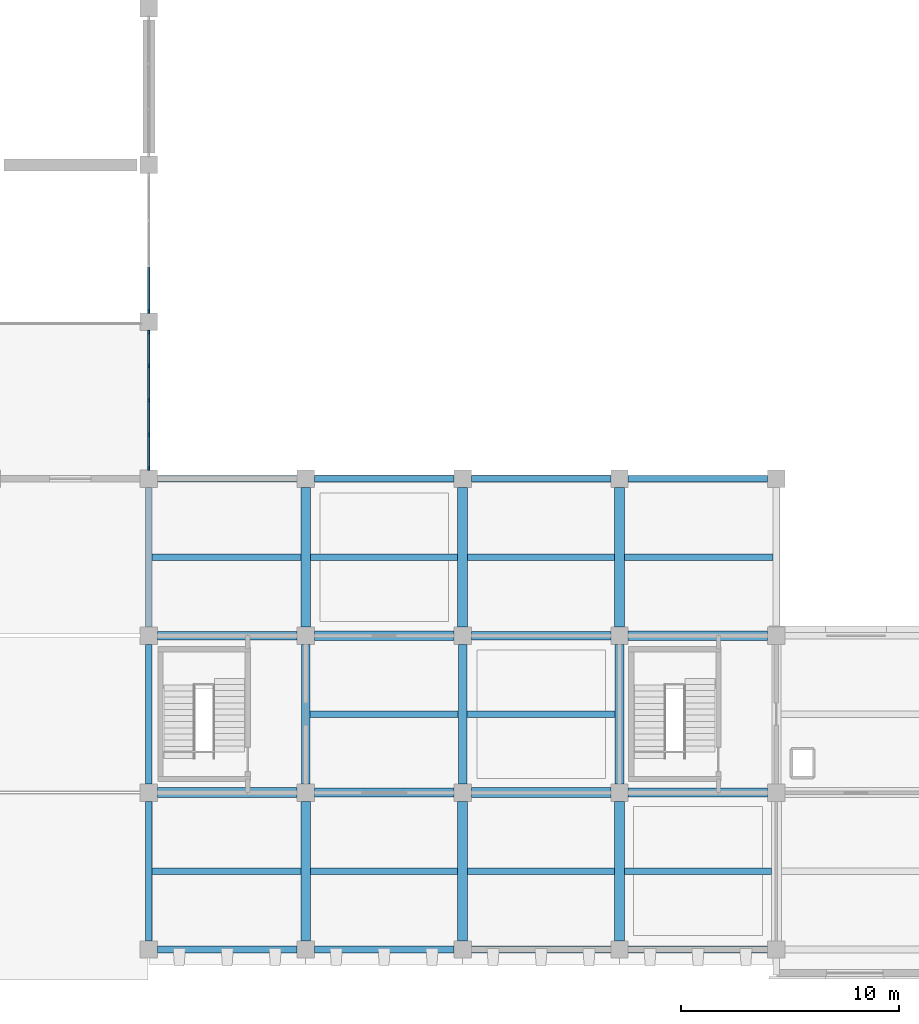
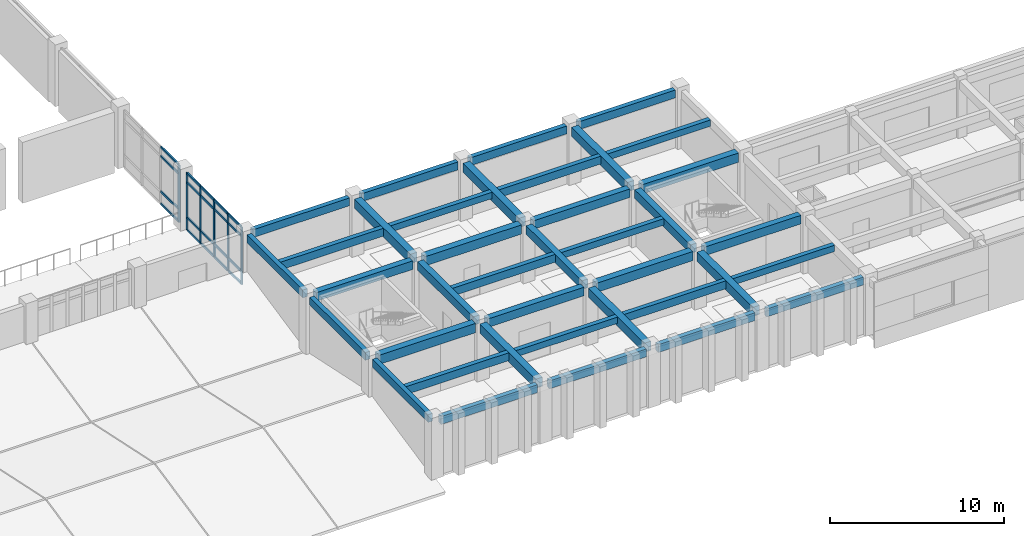
# One storey, part 3 of 70: 38 beams, 26 members, 2 elements without a shape of their own.
"""IFC4 building model written with IfcOpenShell, lengths in metres."""

from ifc_helpers import new_model, si_unit, direction, frame, origin, origin_2d, place, context, subcontext, project, spatial, rectangle, extrude, material, layer, layer_set, material_profile, profile_set, type_object, element, aggregate, save


model = new_model("IFC4")

# Units and contexts
model_context = context("Model", 3, precision=1e-05, world=origin(), true_north=direction((0.0, 1.0)))
body_context = subcontext(model_context, "Body", "Model", "MODEL_VIEW")
ifc_project = project(units=[si_unit("LENGTHUNIT", "METRE"), si_unit("AREAUNIT", "SQUARE_METRE"), si_unit("VOLUMEUNIT", "CUBIC_METRE"), si_unit("PLANEANGLEUNIT", "RADIAN"), si_unit("MASSUNIT", "GRAM", prefix="KILO")], contexts=[model_context])

# Site, building, storey
site_placement = place(None, origin())
site = spatial("IfcSite", under=ifc_project, at=site_placement, CompositionType="ELEMENT")
building_placement = place(site_placement, origin())
building = spatial("IfcBuilding", under=site, at=building_placement, Name="Kavelor Marine Aquarium", CompositionType="ELEMENT")
storey_placement = place(building_placement, frame((0.0, 0.0, 9.179931640625)))
storey = spatial("IfcBuildingStorey", under=building, at=storey_placement, Name="L02", CompositionType="ELEMENT", Elevation=9.179931640625)

# Beams
ifc_material_1 = material(Name="Concrete C40/50", Category="concrete")
ifc_material_profile_1 = material_profile(ifc_material_1, rectangle(XDim=0.449951171875, YDim=0.64990234375, at=origin_2d()), Name="RC-BM 450x650")
ifc_profile_set_1 = profile_set([ifc_material_profile_1], Name="Concrete C40/50")
beam_type_1 = type_object("IfcBeamType", Name="BM-B3", PredefinedType="BEAM", material=ifc_profile_set_1)
for number, where, z_axis, x_axis, name in (
    (1, (39.60009765625, 10.0, 3.695068359375), (1.0, 0.0, 0.0), (0.0, 1.0, 0.0), "bm:x:L02:L03:05_01"),
    (2, (46.800048828125, 17.199951171875, 3.715087890625), (1.0, 0.0, 0.0), (0.0, 1.0, 0.0), "bm:x:L02:L03:06_02"),
    (3, (54.0, 10.0, 3.695068359375), (1.0, 0.0, 0.0), (0.0, 1.0, 0.0), "bm:x:L02:L03:07_01"),
):
    element("IfcBeam", number, at=place(storey_placement, frame(where, z_axis=z_axis, x_axis=x_axis)), inside=storey, type_object=beam_type_1, Name=name, PredefinedType="BEAM", context=body_context, shape_type="SweptSolid", body=[
        extrude(rectangle(XDim=0.449951171875, YDim=0.64990234375, at=origin_2d()), origin(), (0.0, 0.0, 1.0), 6.39990234375),
    ])
for number, where, z_axis, x_axis, name in (
    (4, (61.199951171875, 17.199951171875, 3.715087890625), (1.0, 0.0, 0.0), (0.0, 1.0, 0.0), "bm:x:L02:L03:08_02"),
    (5, (46.39990234375, 3.199951171875, 3.695068359375), (0.0, 1.0, 0.0), (-1.0, 0.0, 0.0), "bm:y:L02:L03:06_00"),
):
    element("IfcBeam", number, at=place(storey_placement, frame(where, z_axis=z_axis, x_axis=x_axis)), inside=storey, type_object=beam_type_1, Name=name, PredefinedType="BEAM", context=body_context, shape_type="SweptSolid", body=[
        extrude(rectangle(XDim=0.449951171875, YDim=0.64990234375, at=origin_2d()), origin(), (0.0, 0.0, 1.0), 6.400146484375),
    ])
beam_1_placement = place(storey_placement, frame((46.39990234375, 17.60009765625, 3.715087890625), z_axis=(0.0, 1.0, 0.0), x_axis=(-1.0, 0.0, 0.0)))
element("IfcBeam", 6, at=beam_1_placement, inside=storey, type_object=beam_type_1, Name="bm:y:L02:L03:06_02", PredefinedType="BEAM", context=body_context, shape_type="SweptSolid", body=[
    extrude(rectangle(XDim=0.449951171875, YDim=0.64990234375, at=origin_2d()), origin(), (0.0, 0.0, 1.0), 6.39990234375),
])
beam_2_placement = place(storey_placement, frame((53.60009765625, 3.199951171875, 3.695068359375), z_axis=(0.0, 1.0, 0.0), x_axis=(-1.0, 0.0, 0.0)))
element("IfcBeam", 7, at=beam_2_placement, inside=storey, type_object=beam_type_1, Name="bm:y:L02:L03:07_00", PredefinedType="BEAM", context=body_context, shape_type="SweptSolid", body=[
    extrude(rectangle(XDim=0.449951171875, YDim=0.64990234375, at=origin_2d()), origin(), (0.0, 0.0, 1.0), 6.400146484375),
])
beam_3_placement = place(storey_placement, frame((53.60009765625, 17.60009765625, 3.715087890625), z_axis=(0.0, 1.0, 0.0), x_axis=(-1.0, 0.0, 0.0)))
element("IfcBeam", 8, at=beam_3_placement, inside=storey, type_object=beam_type_1, Name="bm:y:L02:L03:07_02", PredefinedType="BEAM", context=body_context, shape_type="SweptSolid", body=[
    extrude(rectangle(XDim=0.449951171875, YDim=0.64990234375, at=origin_2d()), origin(), (0.0, 0.0, 1.0), 6.39990234375),
])
beam_4_placement = place(storey_placement, frame((60.800048828125, 3.199951171875, 3.695068359375), z_axis=(0.0, 1.0, 0.0), x_axis=(-1.0, 0.0, 0.0)))
element("IfcBeam", 9, at=beam_4_placement, inside=storey, type_object=beam_type_1, Name="bm:y:L02:L03:08_00", PredefinedType="BEAM", context=body_context, shape_type="SweptSolid", body=[
    extrude(rectangle(XDim=0.449951171875, YDim=0.64990234375, at=origin_2d()), origin(), (0.0, 0.0, 1.0), 6.400146484375),
])
beam_5_placement = place(storey_placement, frame((60.800048828125, 17.60009765625, 3.715087890625), z_axis=(0.0, 1.0, 0.0), x_axis=(-1.0, 0.0, 0.0)))
element("IfcBeam", 10, at=beam_5_placement, inside=storey, type_object=beam_type_1, Name="bm:y:L02:L03:08_02", PredefinedType="BEAM", context=body_context, shape_type="SweptSolid", body=[
    extrude(rectangle(XDim=0.449951171875, YDim=0.64990234375, at=origin_2d()), origin(), (0.0, 0.0, 1.0), 6.39990234375),
])
ifc_material_2 = material(Name="Concrete C40/50", Category="concrete")
ifc_material_profile_2 = material_profile(ifc_material_2, rectangle(XDim=0.39990234375, YDim=0.60009765625, at=origin_2d()), Name="RC-BM 400x600")
ifc_profile_set_2 = profile_set([ifc_material_profile_2], Name="Concrete C40/50")
beam_type_2 = type_object("IfcBeamType", Name="BM-B4", PredefinedType="BEAM", material=ifc_profile_set_2)
for number, where, z_axis, x_axis, name in (
    (11, (39.60009765625, 17.199951171875, 3.719970703125), (1.0, 0.0, 0.0), (0.0, 1.0, 0.0), "bm:x:L02:L03:05_02"),
    (12, (46.800048828125, 10.0, 3.719970703125), (1.0, 0.0, 0.0), (0.0, 1.0, 0.0), "bm:x:L02:L03:06_01"),
    (13, (54.0, 17.199951171875, 3.719970703125), (1.0, 0.0, 0.0), (0.0, 1.0, 0.0), "bm:x:L02:L03:07_02"),
):
    element("IfcBeam", number, at=place(storey_placement, frame(where, z_axis=z_axis, x_axis=x_axis)), inside=storey, type_object=beam_type_2, Name=name, PredefinedType="BEAM", context=body_context, shape_type="SweptSolid", body=[
        extrude(rectangle(XDim=0.39990234375, YDim=0.60009765625, at=origin_2d()), origin(), (0.0, 0.0, 1.0), 6.39990234375),
    ])
for number, where, z_axis, x_axis, name in (
    (14, (61.199951171875, 10.0, 3.719970703125), (1.0, 0.0, 0.0), (0.0, 1.0, 0.0), "bm:x:L02:L03:08_01"),
    (15, (46.39990234375, 10.39990234375, 3.719970703125), (0.0, 1.0, 0.0), (-1.0, 0.0, 0.0), "bm:y:L02:L03:06_01"),
    (16, (53.60009765625, 10.39990234375, 3.719970703125), (0.0, 1.0, 0.0), (-1.0, 0.0, 0.0), "bm:y:L02:L03:07_01"),
    (17, (60.800048828125, 10.39990234375, 3.719970703125), (0.0, 1.0, 0.0), (-1.0, 0.0, 0.0), "bm:y:L02:L03:08_01"),
):
    element("IfcBeam", number, at=place(storey_placement, frame(where, z_axis=z_axis, x_axis=x_axis)), inside=storey, type_object=beam_type_2, Name=name, PredefinedType="BEAM", context=body_context, shape_type="SweptSolid", body=[
        extrude(rectangle(XDim=0.39990234375, YDim=0.60009765625, at=origin_2d()), origin(), (0.0, 0.0, 1.0), 6.400146484375),
    ])
ifc_material_3 = material(Name="Concrete C40/50", Category="concrete")
ifc_material_profile_3 = material_profile(ifc_material_3, rectangle(XDim=0.300048828125, YDim=0.449951171875, at=origin_2d()), Name="RC-JS 300x450")
ifc_profile_set_3 = profile_set([ifc_material_profile_3], Name="Concrete C40/50")
beam_type_3 = type_object("IfcBeamType", Name="BM-JS1", PredefinedType="JOIST", material=ifc_profile_set_3)
for number, where, z_axis, x_axis, name in (
    (18, (46.625, 6.39990234375, 3.795166015625), (1.0, 0.0, 0.0), (0.0, 1.0, 0.0), "js:L02:L03:06_00"),
    (19, (46.625, 20.800048828125, 3.815185546875), (1.0, 0.0, 0.0), (0.0, 1.0, 0.0), "js:L02:L03:06_02"),
):
    element("IfcBeam", number, at=place(storey_placement, frame(where, z_axis=z_axis, x_axis=x_axis)), inside=storey, type_object=beam_type_3, Name=name, PredefinedType="JOIST", context=body_context, shape_type="SweptSolid", body=[
        extrude(rectangle(XDim=0.300048828125, YDim=0.449951171875, at=origin_2d()), origin(), (0.0, 0.0, 1.0), 6.75),
    ])
beam_6_placement = place(storey_placement, frame((53.800048828125, 13.60009765625, 3.795166015625), z_axis=(1.0, 0.0, 0.0), x_axis=(0.0, 1.0, 0.0)))
element("IfcBeam", 20, at=beam_6_placement, inside=storey, type_object=beam_type_3, Name="js:L02:L03:07_01", PredefinedType="JOIST", context=body_context, shape_type="SweptSolid", body=[
    extrude(rectangle(XDim=0.300048828125, YDim=0.449951171875, at=origin_2d()), origin(), (0.0, 0.0, 1.0), 6.800048828125),
])
beam_7_placement = place(storey_placement, frame((61.02490234375, 6.39990234375, 3.795166015625), z_axis=(1.0, 0.0, 0.0), x_axis=(0.0, 1.0, 0.0)))
element("IfcBeam", 21, at=beam_7_placement, inside=storey, type_object=beam_type_3, Name="js:L02:L03:08_00", PredefinedType="JOIST", context=body_context, shape_type="SweptSolid", body=[
    extrude(rectangle(XDim=0.300048828125, YDim=0.449951171875, at=origin_2d()), origin(), (0.0, 0.0, 1.0), 6.75),
])
beam_8_placement = place(storey_placement, frame((61.02490234375, 20.800048828125, 3.815185546875), z_axis=(1.0, 0.0, 0.0), x_axis=(0.0, 1.0, 0.0)))
element("IfcBeam", 22, at=beam_8_placement, inside=storey, type_object=beam_type_3, Name="js:L02:L03:08_02", PredefinedType="JOIST", context=body_context, shape_type="SweptSolid", body=[
    extrude(rectangle(XDim=0.300048828125, YDim=0.449951171875, at=origin_2d()), origin(), (0.0, 0.0, 1.0), 6.8251953125),
])
ifc_material_4 = material(Name="Concrete C40/50", Category="concrete")
ifc_material_profile_4 = material_profile(ifc_material_4, rectangle(XDim=0.300048828125, YDim=0.550048828125, at=origin_2d()), Name="RC-JS 300x550")
ifc_profile_set_4 = profile_set([ifc_material_profile_4], Name="Concrete C40/50")
beam_type_4 = type_object("IfcBeamType", Name="BM-JS2", PredefinedType="JOIST", material=ifc_profile_set_4)
for number, where, z_axis, x_axis, name in (
    (23, (39.35009765625, 6.39990234375, 3.76513671875), (1.0, 0.0, 0.0), (0.0, 1.0, 0.0), "js:L02:L03:05_00"),
    (24, (39.35009765625, 20.800048828125, 3.76513671875), (1.0, 0.0, 0.0), (0.0, 1.0, 0.0), "js:L02:L03:05_02"),
):
    element("IfcBeam", number, at=place(storey_placement, frame(where, z_axis=z_axis, x_axis=x_axis)), inside=storey, type_object=beam_type_4, Name=name, PredefinedType="JOIST", context=body_context, shape_type="SweptSolid", body=[
        extrude(rectangle(XDim=0.300048828125, YDim=0.550048828125, at=origin_2d()), origin(), (0.0, 0.0, 1.0), 6.824951171875),
    ])
beam_9_placement = place(storey_placement, frame((46.60009765625, 13.60009765625, 3.76513671875), z_axis=(1.0, 0.0, 0.0), x_axis=(0.0, 1.0, 0.0)))
element("IfcBeam", 25, at=beam_9_placement, inside=storey, type_object=beam_type_4, Name="js:L02:L03:06_01", PredefinedType="JOIST", context=body_context, shape_type="SweptSolid", body=[
    extrude(rectangle(XDim=0.300048828125, YDim=0.550048828125, at=origin_2d()), origin(), (0.0, 0.0, 1.0), 6.7998046875),
])
for number, where, z_axis, x_axis, name in (
    (26, (53.824951171875, 6.39990234375, 3.76513671875), (1.0, 0.0, 0.0), (0.0, 1.0, 0.0), "js:L02:L03:07_00"),
    (27, (53.824951171875, 20.800048828125, 3.76513671875), (1.0, 0.0, 0.0), (0.0, 1.0, 0.0), "js:L02:L03:07_02"),
):
    element("IfcBeam", number, at=place(storey_placement, frame(where, z_axis=z_axis, x_axis=x_axis)), inside=storey, type_object=beam_type_4, Name=name, PredefinedType="JOIST", context=body_context, shape_type="SweptSolid", body=[
        extrude(rectangle(XDim=0.300048828125, YDim=0.550048828125, at=origin_2d()), origin(), (0.0, 0.0, 1.0), 6.75),
    ])
ifc_material_5 = material(Name="Concrete C40/50", Category="concrete")
ifc_material_profile_5 = material_profile(ifc_material_5, rectangle(XDim=0.300048828125, YDim=0.550048828125, at=origin_2d()), Name="RC-SP 300x550")
ifc_profile_set_5 = profile_set([ifc_material_profile_5], Name="Concrete C40/50")
beam_type_5 = type_object("IfcBeamType", Name="BM-SP2", PredefinedType="SPANDREL", material=ifc_profile_set_5)
for number, where, z_axis, x_axis, name in (
    (28, (39.60009765625, 2.800048828125, 3.76513671875), (1.0, 0.0, 0.0), (0.0, 1.0, 0.0), "bm:x:L02:L03:05_00"),
    (29, (39.60009765625, 24.39990234375, 3.76513671875), (1.0, 0.0, 0.0), (0.0, 1.0, 0.0), "bm:x:L02:L03:05_03"),
    (30, (46.800048828125, 2.800048828125, 3.7451171875), (1.0, 0.0, 0.0), (0.0, 1.0, 0.0), "bm:x:L02:L03:06_00"),
    (31, (46.800048828125, 24.39990234375, 3.76513671875), (1.0, 0.0, 0.0), (0.0, 1.0, 0.0), "bm:x:L02:L03:06_03"),
    (32, (54.0, 2.800048828125, 3.76513671875), (1.0, 0.0, 0.0), (0.0, 1.0, 0.0), "bm:x:L02:L03:07_00"),
    (33, (54.0, 24.39990234375, 3.76513671875), (1.0, 0.0, 0.0), (0.0, 1.0, 0.0), "bm:x:L02:L03:07_03"),
):
    element("IfcBeam", number, at=place(storey_placement, frame(where, z_axis=z_axis, x_axis=x_axis)), inside=storey, type_object=beam_type_5, Name=name, PredefinedType="SPANDREL", context=body_context, shape_type="SweptSolid", body=[
        extrude(rectangle(XDim=0.300048828125, YDim=0.550048828125, at=origin_2d()), origin(), (0.0, 0.0, 1.0), 6.39990234375),
    ])
for number, where, z_axis, x_axis, name in (
    (34, (61.199951171875, 2.800048828125, 3.7451171875), (1.0, 0.0, 0.0), (0.0, 1.0, 0.0), "bm:x:L02:L03:08_00"),
    (35, (61.199951171875, 24.39990234375, 3.76513671875), (1.0, 0.0, 0.0), (0.0, 1.0, 0.0), "bm:x:L02:L03:08_03"),
    (36, (39.199951171875, 3.199951171875, 3.76513671875), (0.0, 1.0, 0.0), (-1.0, 0.0, 0.0), "bm:y:L02:L03:05_00"),
    (37, (39.199951171875, 10.39990234375, 3.7451171875), (0.0, 1.0, 0.0), (-1.0, 0.0, 0.0), "bm:y:L02:L03:05_01"),
):
    element("IfcBeam", number, at=place(storey_placement, frame(where, z_axis=z_axis, x_axis=x_axis)), inside=storey, type_object=beam_type_5, Name=name, PredefinedType="SPANDREL", context=body_context, shape_type="SweptSolid", body=[
        extrude(rectangle(XDim=0.300048828125, YDim=0.550048828125, at=origin_2d()), origin(), (0.0, 0.0, 1.0), 6.400146484375),
    ])
beam_10_placement = place(storey_placement, frame((39.199951171875, 17.60009765625, 3.76513671875), z_axis=(0.0, 1.0, 0.0), x_axis=(-1.0, 0.0, 0.0)))
element("IfcBeam", 38, at=beam_10_placement, inside=storey, type_object=beam_type_5, Name="bm:y:L02:L03:05_02", PredefinedType="SPANDREL", context=body_context, shape_type="SweptSolid", body=[
    extrude(rectangle(XDim=0.300048828125, YDim=0.550048828125, at=origin_2d()), origin(), (0.0, 0.0, 1.0), 6.39990234375),
])

# Curtain wall, members
ifc_material_6 = material(Name="Thermally Broken Aluminium and Low-E Glass", Category="aluminium")
ifc_layer_1 = layer(ifc_material_6, 0.26806640625)
ifc_layer_set_1 = layer_set([ifc_layer_1], Name="CW-SYS16")
curtain_wall_type_1 = type_object("IfcCurtainWallType", Name="CW-SYS16", PredefinedType="USERDEFINED", material=ifc_layer_set_1)
curtain_wall_1_placement = place(storey_placement, origin())
curtain_wall_1 = element("IfcCurtainWall", 39, at=curtain_wall_1_placement, inside=storey, type_object=curtain_wall_type_1, Name="cw:y:L02:05_03", ObjectType="Curtain Wall", PredefinedType="USERDEFINED")
ifc_material_7 = material(Name="Anodised Aluminium Alloy 6063-T6", Category="aluminium")
ifc_material_profile_6 = material_profile(ifc_material_7, rectangle(XDim=0.074951171875, YDim=0.179931640625, at=origin_2d()), Name="CW-MUL 75x180")
ifc_profile_set_6 = profile_set([ifc_material_profile_6], Name="Anodised Aluminium Alloy 6063-T6")
member_type_1 = type_object("IfcMemberType", Name="CWM-1", PredefinedType="MULLION", material=ifc_profile_set_6)
member_1_placement = place(storey_placement, frame((39.199951171875, 24.882568359375, 0.0), z_axis=(0.0, 0.0, 1.0), x_axis=(-1.0, 0.0, 0.0)))
member_1 = element("IfcMember", 40, at=member_1_placement, type_object=member_type_1, Name="CW16 mullion 1", PredefinedType="MULLION", context=body_context, shape_type="SweptSolid", body=[
    extrude(rectangle(XDim=0.074951171875, YDim=0.179931640625, at=origin_2d()), origin(), (0.0, 0.0, 1.0), 4.02001953125),
])
member_2_placement = place(storey_placement, frame((39.199951171875, 26.422607421875, 0.0), z_axis=(0.0, 0.0, 1.0), x_axis=(-1.0, 0.0, 0.0)))
member_2 = element("IfcMember", 41, at=member_2_placement, type_object=member_type_1, Name="CW16 mullion 2", PredefinedType="MULLION", context=body_context, shape_type="SweptSolid", body=[
    extrude(rectangle(XDim=0.074951171875, YDim=0.179931640625, at=origin_2d()), origin(), (0.0, 0.0, 1.0), 4.02001953125),
])
member_3_placement = place(storey_placement, frame((39.199951171875, 28.0, 0.0), z_axis=(0.0, 0.0, 1.0), x_axis=(-1.0, 0.0, 0.0)))
member_3 = element("IfcMember", 42, at=member_3_placement, type_object=member_type_1, Name="CW16 mullion 3", PredefinedType="MULLION", context=body_context, shape_type="SweptSolid", body=[
    extrude(rectangle(XDim=0.074951171875, YDim=0.179931640625, at=origin_2d()), origin(), (0.0, 0.0, 1.0), 4.02001953125),
])
member_4_placement = place(storey_placement, frame((39.199951171875, 29.577392578125, 0.0), z_axis=(0.0, 0.0, 1.0), x_axis=(-1.0, 0.0, 0.0)))
member_4 = element("IfcMember", 43, at=member_4_placement, type_object=member_type_1, Name="CW16 mullion 4", PredefinedType="MULLION", context=body_context, shape_type="SweptSolid", body=[
    extrude(rectangle(XDim=0.074951171875, YDim=0.179931640625, at=origin_2d()), origin(), (0.0, 0.0, 1.0), 4.02001953125),
])
member_5_placement = place(storey_placement, frame((39.199951171875, 31.117431640625, 0.0), z_axis=(0.0, 0.0, 1.0), x_axis=(-1.0, 0.0, 0.0)))
member_5 = element("IfcMember", 44, at=member_5_placement, type_object=member_type_1, Name="CW16 mullion 5", PredefinedType="MULLION", context=body_context, shape_type="SweptSolid", body=[
    extrude(rectangle(XDim=0.074951171875, YDim=0.179931640625, at=origin_2d()), origin(), (0.0, 0.0, 1.0), 4.02001953125),
])

# Curtain wall, member
ifc_material_8 = material(Name="Thermally Broken Aluminium and Low-E Glass", Category="aluminium")
ifc_layer_2 = layer(ifc_material_8, 0.27587890625)
ifc_layer_set_2 = layer_set([ifc_layer_2], Name="CW-SYS17")
curtain_wall_type_2 = type_object("IfcCurtainWallType", Name="CW-SYS17", PredefinedType="USERDEFINED", material=ifc_layer_set_2)
curtain_wall_2_placement = place(storey_placement, origin())
curtain_wall_2 = element("IfcCurtainWall", 45, at=curtain_wall_2_placement, inside=storey, type_object=curtain_wall_type_2, Name="cw:y:L02:05_04", ObjectType="Curtain Wall", PredefinedType="USERDEFINED")
ifc_material_9 = material(Name="Anodised Aluminium Alloy 6063-T6", Category="aluminium")
ifc_material_profile_7 = material_profile(ifc_material_9, rectangle(XDim=0.080078125, YDim=0.18505859375, at=origin_2d()), Name="CW-MUL 80x185")
ifc_profile_set_7 = profile_set([ifc_material_profile_7], Name="Anodised Aluminium Alloy 6063-T6")
member_type_2 = type_object("IfcMemberType", Name="CWM-2", PredefinedType="MULLION", material=ifc_profile_set_7)
member_6_placement = place(storey_placement, frame((39.199951171875, 32.077392578125, 0.0), z_axis=(0.0, 0.0, 1.0), x_axis=(-1.0, 0.0, 0.0)))
member_6 = element("IfcMember", 46, at=member_6_placement, type_object=member_type_2, Name="CW17 mullion 1", PredefinedType="MULLION", context=body_context, shape_type="SweptSolid", body=[
    extrude(rectangle(XDim=0.080078125, YDim=0.18505859375, at=origin_2d()), origin(), (0.0, 0.0, 1.0), 4.02001953125),
])

# Member
ifc_material_10 = material(Name="Anodised Aluminium Alloy 6063-T6", Category="aluminium")
ifc_material_profile_8 = material_profile(ifc_material_10, rectangle(XDim=0.0849609375, YDim=0.159912109375, at=origin_2d()), Name="CW-TRN 85x160")
ifc_profile_set_8 = profile_set([ifc_material_profile_8], Name="Anodised Aluminium Alloy 6063-T6")
member_type_3 = type_object("IfcMemberType", Name="CWT-3", PredefinedType="USERDEFINED", material=ifc_profile_set_8)
member_7_placement = place(storey_placement, frame((39.199951171875, 24.919921875, 0.030029296875), z_axis=(0.0, 1.0, 0.0), x_axis=(-1.0, 0.0, 0.0)))
member_7 = element("IfcMember", 47, at=member_7_placement, type_object=member_type_3, Name="CW16 transom 1.1", ObjectType="TRANSOM", PredefinedType="USERDEFINED", context=body_context, shape_type="SweptSolid", body=[
    extrude(rectangle(XDim=0.0849609375, YDim=0.159912109375, at=origin_2d()), origin(), (0.0, 0.0, 1.0), 1.465087890625),
])

member_8_placement = place(storey_placement, frame((39.199951171875, 24.919921875, 0.900146484375), z_axis=(0.0, 1.0, 0.0), x_axis=(-1.0, 0.0, 0.0)))
member_8 = element("IfcMember", 48, at=member_8_placement, type_object=member_type_3, Name="CW16 transom 1.2", ObjectType="TRANSOM", PredefinedType="USERDEFINED", context=body_context, shape_type="SweptSolid", body=[
    extrude(rectangle(XDim=0.0849609375, YDim=0.159912109375, at=origin_2d()), origin(), (0.0, 0.0, 1.0), 1.465087890625),
])

member_9_placement = place(storey_placement, frame((39.199951171875, 24.919921875, 3.3701171875), z_axis=(0.0, 1.0, 0.0), x_axis=(-1.0, 0.0, 0.0)))
member_9 = element("IfcMember", 49, at=member_9_placement, type_object=member_type_3, Name="CW16 transom 1.3", ObjectType="TRANSOM", PredefinedType="USERDEFINED", context=body_context, shape_type="SweptSolid", body=[
    extrude(rectangle(XDim=0.0849609375, YDim=0.159912109375, at=origin_2d()), origin(), (0.0, 0.0, 1.0), 1.465087890625),
])

member_10_placement = place(storey_placement, frame((39.199951171875, 24.919921875, 3.989990234375), z_axis=(0.0, 1.0, 0.0), x_axis=(-1.0, 0.0, 0.0)))
member_10 = element("IfcMember", 50, at=member_10_placement, type_object=member_type_3, Name="CW16 transom 1.4", ObjectType="TRANSOM", PredefinedType="USERDEFINED", context=body_context, shape_type="SweptSolid", body=[
    extrude(rectangle(XDim=0.0849609375, YDim=0.159912109375, at=origin_2d()), origin(), (0.0, 0.0, 1.0), 1.465087890625),
])

member_11_placement = place(storey_placement, frame((39.199951171875, 26.4599609375, 0.030029296875), z_axis=(0.0, 1.0, 0.0), x_axis=(-1.0, 0.0, 0.0)))
member_11 = element("IfcMember", 51, at=member_11_placement, type_object=member_type_3, Name="CW16 transom 2.1", ObjectType="TRANSOM", PredefinedType="USERDEFINED", context=body_context, shape_type="SweptSolid", body=[
    extrude(rectangle(XDim=0.0849609375, YDim=0.159912109375, at=origin_2d()), origin(), (0.0, 0.0, 1.0), 1.50244140625),
])

member_12_placement = place(storey_placement, frame((39.199951171875, 26.4599609375, 0.900146484375), z_axis=(0.0, 1.0, 0.0), x_axis=(-1.0, 0.0, 0.0)))
member_12 = element("IfcMember", 52, at=member_12_placement, type_object=member_type_3, Name="CW16 transom 2.2", ObjectType="TRANSOM", PredefinedType="USERDEFINED", context=body_context, shape_type="SweptSolid", body=[
    extrude(rectangle(XDim=0.0849609375, YDim=0.159912109375, at=origin_2d()), origin(), (0.0, 0.0, 1.0), 1.50244140625),
])

member_13_placement = place(storey_placement, frame((39.199951171875, 26.4599609375, 3.3701171875), z_axis=(0.0, 1.0, 0.0), x_axis=(-1.0, 0.0, 0.0)))
member_13 = element("IfcMember", 53, at=member_13_placement, type_object=member_type_3, Name="CW16 transom 2.3", ObjectType="TRANSOM", PredefinedType="USERDEFINED", context=body_context, shape_type="SweptSolid", body=[
    extrude(rectangle(XDim=0.0849609375, YDim=0.159912109375, at=origin_2d()), origin(), (0.0, 0.0, 1.0), 1.50244140625),
])

member_14_placement = place(storey_placement, frame((39.199951171875, 26.4599609375, 3.989990234375), z_axis=(0.0, 1.0, 0.0), x_axis=(-1.0, 0.0, 0.0)))
member_14 = element("IfcMember", 54, at=member_14_placement, type_object=member_type_3, Name="CW16 transom 2.4", ObjectType="TRANSOM", PredefinedType="USERDEFINED", context=body_context, shape_type="SweptSolid", body=[
    extrude(rectangle(XDim=0.0849609375, YDim=0.159912109375, at=origin_2d()), origin(), (0.0, 0.0, 1.0), 1.50244140625),
])

member_15_placement = place(storey_placement, frame((39.199951171875, 28.03759765625, 0.030029296875), z_axis=(0.0, 1.0, 0.0), x_axis=(-1.0, 0.0, 0.0)))
member_15 = element("IfcMember", 55, at=member_15_placement, type_object=member_type_3, Name="CW16 transom 3.1", ObjectType="TRANSOM", PredefinedType="USERDEFINED", context=body_context, shape_type="SweptSolid", body=[
    extrude(rectangle(XDim=0.0849609375, YDim=0.159912109375, at=origin_2d()), origin(), (0.0, 0.0, 1.0), 1.50244140625),
])

member_16_placement = place(storey_placement, frame((39.199951171875, 28.03759765625, 0.900146484375), z_axis=(0.0, 1.0, 0.0), x_axis=(-1.0, 0.0, 0.0)))
member_16 = element("IfcMember", 56, at=member_16_placement, type_object=member_type_3, Name="CW16 transom 3.2", ObjectType="TRANSOM", PredefinedType="USERDEFINED", context=body_context, shape_type="SweptSolid", body=[
    extrude(rectangle(XDim=0.0849609375, YDim=0.159912109375, at=origin_2d()), origin(), (0.0, 0.0, 1.0), 1.50244140625),
])

member_17_placement = place(storey_placement, frame((39.199951171875, 28.03759765625, 3.3701171875), z_axis=(0.0, 1.0, 0.0), x_axis=(-1.0, 0.0, 0.0)))
member_17 = element("IfcMember", 57, at=member_17_placement, type_object=member_type_3, Name="CW16 transom 3.3", ObjectType="TRANSOM", PredefinedType="USERDEFINED", context=body_context, shape_type="SweptSolid", body=[
    extrude(rectangle(XDim=0.0849609375, YDim=0.159912109375, at=origin_2d()), origin(), (0.0, 0.0, 1.0), 1.50244140625),
])

member_18_placement = place(storey_placement, frame((39.199951171875, 28.03759765625, 3.989990234375), z_axis=(0.0, 1.0, 0.0), x_axis=(-1.0, 0.0, 0.0)))
member_18 = element("IfcMember", 58, at=member_18_placement, type_object=member_type_3, Name="CW16 transom 3.4", ObjectType="TRANSOM", PredefinedType="USERDEFINED", context=body_context, shape_type="SweptSolid", body=[
    extrude(rectangle(XDim=0.0849609375, YDim=0.159912109375, at=origin_2d()), origin(), (0.0, 0.0, 1.0), 1.50244140625),
])

member_19_placement = place(storey_placement, frame((39.199951171875, 29.614990234375, 0.030029296875), z_axis=(0.0, 1.0, 0.0), x_axis=(-1.0, 0.0, 0.0)))
member_19 = element("IfcMember", 59, at=member_19_placement, type_object=member_type_3, Name="CW16 transom 4.1", ObjectType="TRANSOM", PredefinedType="USERDEFINED", context=body_context, shape_type="SweptSolid", body=[
    extrude(rectangle(XDim=0.0849609375, YDim=0.159912109375, at=origin_2d()), origin(), (0.0, 0.0, 1.0), 1.465087890625),
])

member_20_placement = place(storey_placement, frame((39.199951171875, 29.614990234375, 0.900146484375), z_axis=(0.0, 1.0, 0.0), x_axis=(-1.0, 0.0, 0.0)))
member_20 = element("IfcMember", 60, at=member_20_placement, type_object=member_type_3, Name="CW16 transom 4.2", ObjectType="TRANSOM", PredefinedType="USERDEFINED", context=body_context, shape_type="SweptSolid", body=[
    extrude(rectangle(XDim=0.0849609375, YDim=0.159912109375, at=origin_2d()), origin(), (0.0, 0.0, 1.0), 1.465087890625),
])

member_21_placement = place(storey_placement, frame((39.199951171875, 29.614990234375, 3.3701171875), z_axis=(0.0, 1.0, 0.0), x_axis=(-1.0, 0.0, 0.0)))
member_21 = element("IfcMember", 61, at=member_21_placement, type_object=member_type_3, Name="CW16 transom 4.3", ObjectType="TRANSOM", PredefinedType="USERDEFINED", context=body_context, shape_type="SweptSolid", body=[
    extrude(rectangle(XDim=0.0849609375, YDim=0.159912109375, at=origin_2d()), origin(), (0.0, 0.0, 1.0), 1.465087890625),
])

member_22_placement = place(storey_placement, frame((39.199951171875, 29.614990234375, 3.989990234375), z_axis=(0.0, 1.0, 0.0), x_axis=(-1.0, 0.0, 0.0)))
member_22 = element("IfcMember", 62, at=member_22_placement, type_object=member_type_3, Name="CW16 transom 4.4", ObjectType="TRANSOM", PredefinedType="USERDEFINED", context=body_context, shape_type="SweptSolid", body=[
    extrude(rectangle(XDim=0.0849609375, YDim=0.159912109375, at=origin_2d()), origin(), (0.0, 0.0, 1.0), 1.465087890625),
])

aggregate(curtain_wall_1, [member_1, member_2, member_3, member_4, member_5, member_7, member_8, member_9, member_10, member_11, member_12, member_13, member_14, member_15, member_16, member_17, member_18, member_19, member_20, member_21, member_22])

member_23_placement = place(storey_placement, frame((39.199951171875, 32.110107421875, 0.030029296875), z_axis=(0.0, 1.0, 0.0), x_axis=(-1.0, 0.0, 0.0)))
member_23 = element("IfcMember", 63, at=member_23_placement, type_object=member_type_3, Name="CW17 transom 1.1", ObjectType="TRANSOM", PredefinedType="USERDEFINED", context=body_context, shape_type="SweptSolid", body=[
    extrude(rectangle(XDim=0.0849609375, YDim=0.159912109375, at=origin_2d()), origin(), (0.0, 0.0, 1.0), 2.005615234375),
])

member_24_placement = place(storey_placement, frame((39.199951171875, 32.110107421875, 0.900146484375), z_axis=(0.0, 1.0, 0.0), x_axis=(-1.0, 0.0, 0.0)))
member_24 = element("IfcMember", 64, at=member_24_placement, type_object=member_type_3, Name="CW17 transom 1.2", ObjectType="TRANSOM", PredefinedType="USERDEFINED", context=body_context, shape_type="SweptSolid", body=[
    extrude(rectangle(XDim=0.0849609375, YDim=0.159912109375, at=origin_2d()), origin(), (0.0, 0.0, 1.0), 2.005615234375),
])

member_25_placement = place(storey_placement, frame((39.199951171875, 32.110107421875, 3.3701171875), z_axis=(0.0, 1.0, 0.0), x_axis=(-1.0, 0.0, 0.0)))
member_25 = element("IfcMember", 65, at=member_25_placement, type_object=member_type_3, Name="CW17 transom 1.3", ObjectType="TRANSOM", PredefinedType="USERDEFINED", context=body_context, shape_type="SweptSolid", body=[
    extrude(rectangle(XDim=0.0849609375, YDim=0.159912109375, at=origin_2d()), origin(), (0.0, 0.0, 1.0), 2.005615234375),
])

member_26_placement = place(storey_placement, frame((39.199951171875, 32.110107421875, 3.989990234375), z_axis=(0.0, 1.0, 0.0), x_axis=(-1.0, 0.0, 0.0)))
member_26 = element("IfcMember", 66, at=member_26_placement, type_object=member_type_3, Name="CW17 transom 1.4", ObjectType="TRANSOM", PredefinedType="USERDEFINED", context=body_context, shape_type="SweptSolid", body=[
    extrude(rectangle(XDim=0.0849609375, YDim=0.159912109375, at=origin_2d()), origin(), (0.0, 0.0, 1.0), 2.005615234375),
])

aggregate(curtain_wall_2, [member_6, member_23, member_24, member_25, member_26])

save(model, "model.ifc")
